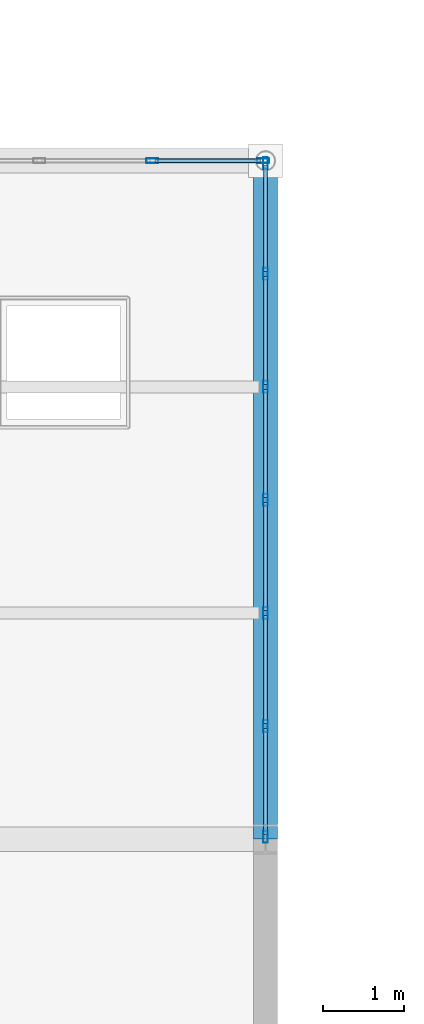
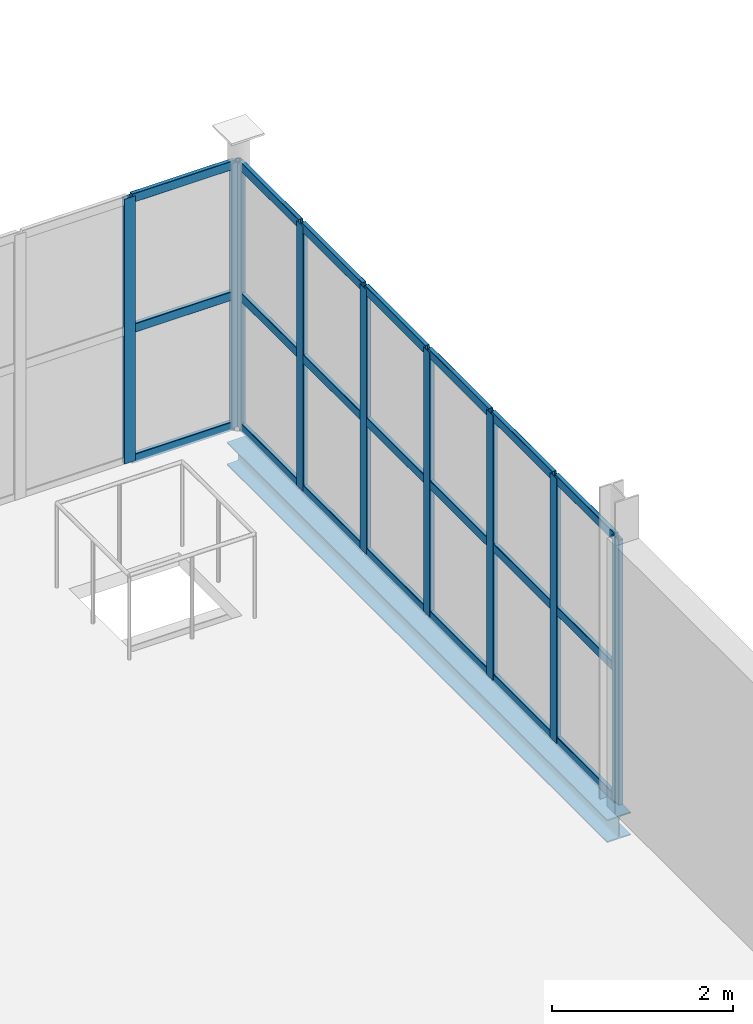
# One storey, part 89 of 163: 30 members, 1 beam, 2 elements without a shape of their own.
"""IFC4 building model written with IfcOpenShell, lengths in metres."""

from ifc_helpers import new_model, si_unit, direction, frame, origin, origin_2d, place, context, subcontext, project, spatial, hollow_rectangle, i_section, extrude, material, layer, layer_set, material_profile, profile_set, type_object, element, aggregate, save


model = new_model("IFC4")

# Units and contexts
model_context = context("Model", 3, precision=1e-05, world=origin(), true_north=direction((0.0, 1.0)))
body_context = subcontext(model_context, "Body", "Model", "MODEL_VIEW")
ifc_project = project(units=[si_unit("LENGTHUNIT", "METRE"), si_unit("AREAUNIT", "SQUARE_METRE"), si_unit("VOLUMEUNIT", "CUBIC_METRE"), si_unit("PLANEANGLEUNIT", "RADIAN"), si_unit("MASSUNIT", "GRAM", prefix="KILO")], contexts=[model_context])

# Site, building, storey
site_placement = place(None, origin())
site = spatial("IfcSite", under=ifc_project, at=site_placement, CompositionType="ELEMENT")
building_placement = place(site_placement, origin())
building = spatial("IfcBuilding", under=site, at=building_placement, Name="Qalvenar Corner Mobility Hub", CompositionType="ELEMENT")
storey_placement = place(building_placement, frame((0.0, 0.0, 4.800048828125)))
storey = spatial("IfcBuildingStorey", under=building, at=storey_placement, Name="L01", CompositionType="ELEMENT", Elevation=4.800048828125)

# Beam
ifc_material_1 = material(Name="Steel S355", Category="steel")
ifc_material_profile_1 = material_profile(ifc_material_1, i_section(OverallWidth=0.300048828125, OverallDepth=0.31005859375, WebThickness=0.009033203125, FlangeThickness=0.015380859375, FilletRadius=0.027099609375, at=origin_2d()), Name="HEA320")
ifc_profile_set_1 = profile_set([ifc_material_profile_1], Name="Steel S355")
beam_type = type_object("IfcBeamType", Name="BM-SPN320", PredefinedType="SPANDREL", material=ifc_profile_set_1)
beam_placement = place(storey_placement, frame((33.60009765625, 84.0, -0.3349609375), z_axis=(0.0, 1.0, 0.0), x_axis=(-1.0, 0.0, 0.0)))
element("IfcBeam", 1, at=beam_placement, inside=storey, type_object=beam_type, Name="Primary Steel Girder GY-1209", PredefinedType="SPANDREL", context=body_context, shape_type="SweptSolid", body=[
    extrude(i_section(OverallWidth=0.300048828125, OverallDepth=0.31005859375, WebThickness=0.009033203125, FlangeThickness=0.015380859375, FilletRadius=0.027099609375, at=origin_2d()), origin(), (0.0, 0.0, 1.0), 8.39990234375),
])

# Curtain wall, members
ifc_material_2 = material(Name="Anodised Aluminium and Low-E Glazing", Category="aluminium")
ifc_layer = layer(ifc_material_2, 0.14990234375)
ifc_layer_set = layer_set([ifc_layer], Name="Anodised Aluminium and Low-E Glazing")
curtain_wall_type = type_object("IfcCurtainWallType", Name="CW-CYC-84X39", PredefinedType="NOTDEFINED", material=ifc_layer_set)
curtain_wall_1_placement = place(storey_placement, origin())
curtain_wall_1 = element("IfcCurtainWall", 2, at=curtain_wall_1_placement, inside=storey, type_object=curtain_wall_type, Name="Glazed Curtain Wall CW-V5-L01-E5", PredefinedType="NOTDEFINED")
ifc_material_3 = material(Name="Anodised Aluminium 6063-T6", Category="aluminium")
ifc_material_profile_2 = material_profile(ifc_material_3, hollow_rectangle(XDim=0.06005859375, YDim=0.14990234375, WallThickness=0.00390625, InnerFilletRadius=0.00390625, OuterFilletRadius=0.008056640625, at=origin_2d()), Name="RHS150x60x4")
ifc_profile_set_2 = profile_set([ifc_material_profile_2], Name="Anodised Aluminium 6063-T6")
member_type_1 = type_object("IfcMemberType", Name="CW-MUL150", PredefinedType="MULLION", material=ifc_profile_set_2)
member_1_placement = place(storey_placement, frame((33.60009765625, 84.030029296875, 0.0), z_axis=(0.0, 0.0, 1.0), x_axis=(-1.0, 0.0, 0.0)))
member_1 = element("IfcMember", 3, at=member_1_placement, type_object=member_type_1, Name="CW-08 mullion 1", PredefinedType="MULLION", context=body_context, shape_type="SweptSolid", body=[
    extrude(hollow_rectangle(XDim=0.06005859375, YDim=0.14990234375, WallThickness=0.00390625, InnerFilletRadius=0.00390625, OuterFilletRadius=0.008056640625, at=origin_2d()), origin(), (0.0, 0.0, 1.0), 3.570068359375),
])
member_2_placement = place(storey_placement, frame((33.60009765625, 85.39990234375, 0.0), z_axis=(0.0, 0.0, 1.0), x_axis=(-1.0, 0.0, 0.0)))
member_2 = element("IfcMember", 4, at=member_2_placement, type_object=member_type_1, Name="CW-08 mullion 2", PredefinedType="MULLION", context=body_context, shape_type="SweptSolid", body=[
    extrude(hollow_rectangle(XDim=0.06005859375, YDim=0.14990234375, WallThickness=0.00390625, InnerFilletRadius=0.00390625, OuterFilletRadius=0.008056640625, at=origin_2d()), origin(), (0.0, 0.0, 1.0), 3.570068359375),
])
member_3_placement = place(storey_placement, frame((33.60009765625, 86.800048828125, 0.0), z_axis=(0.0, 0.0, 1.0), x_axis=(-1.0, 0.0, 0.0)))
member_3 = element("IfcMember", 5, at=member_3_placement, type_object=member_type_1, Name="CW-08 mullion 3", PredefinedType="MULLION", context=body_context, shape_type="SweptSolid", body=[
    extrude(hollow_rectangle(XDim=0.06005859375, YDim=0.14990234375, WallThickness=0.00390625, InnerFilletRadius=0.00390625, OuterFilletRadius=0.008056640625, at=origin_2d()), origin(), (0.0, 0.0, 1.0), 3.570068359375),
])
member_4_placement = place(storey_placement, frame((33.60009765625, 88.199951171875, 0.0), z_axis=(0.0, 0.0, 1.0), x_axis=(-1.0, 0.0, 0.0)))
member_4 = element("IfcMember", 6, at=member_4_placement, type_object=member_type_1, Name="CW-08 mullion 4", PredefinedType="MULLION", context=body_context, shape_type="SweptSolid", body=[
    extrude(hollow_rectangle(XDim=0.06005859375, YDim=0.14990234375, WallThickness=0.00390625, InnerFilletRadius=0.00390625, OuterFilletRadius=0.008056640625, at=origin_2d()), origin(), (0.0, 0.0, 1.0), 3.570068359375),
])
member_5_placement = place(storey_placement, frame((33.60009765625, 89.60009765625, 0.0), z_axis=(0.0, 0.0, 1.0), x_axis=(-1.0, 0.0, 0.0)))
member_5 = element("IfcMember", 7, at=member_5_placement, type_object=member_type_1, Name="CW-08 mullion 5", PredefinedType="MULLION", context=body_context, shape_type="SweptSolid", body=[
    extrude(hollow_rectangle(XDim=0.06005859375, YDim=0.14990234375, WallThickness=0.00390625, InnerFilletRadius=0.00390625, OuterFilletRadius=0.008056640625, at=origin_2d()), origin(), (0.0, 0.0, 1.0), 3.570068359375),
])
member_6_placement = place(storey_placement, frame((33.60009765625, 91.0, 0.0), z_axis=(0.0, 0.0, 1.0), x_axis=(-1.0, 0.0, 0.0)))
member_6 = element("IfcMember", 8, at=member_6_placement, type_object=member_type_1, Name="CW-08 mullion 6", PredefinedType="MULLION", context=body_context, shape_type="SweptSolid", body=[
    extrude(hollow_rectangle(XDim=0.06005859375, YDim=0.14990234375, WallThickness=0.00390625, InnerFilletRadius=0.00390625, OuterFilletRadius=0.008056640625, at=origin_2d()), origin(), (0.0, 0.0, 1.0), 3.570068359375),
])
member_7_placement = place(storey_placement, frame((33.60009765625, 92.3701171875, 0.0), z_axis=(0.0, 0.0, 1.0), x_axis=(-1.0, 0.0, 0.0)))
member_7 = element("IfcMember", 9, at=member_7_placement, type_object=member_type_1, Name="CW-08 mullion 7", PredefinedType="MULLION", context=body_context, shape_type="SweptSolid", body=[
    extrude(hollow_rectangle(XDim=0.06005859375, YDim=0.14990234375, WallThickness=0.00390625, InnerFilletRadius=0.00390625, OuterFilletRadius=0.008056640625, at=origin_2d()), origin(), (0.0, 0.0, 1.0), 3.570068359375),
])

curtain_wall_2_placement = place(storey_placement, origin())
curtain_wall_2 = element("IfcCurtainWall", 10, at=curtain_wall_2_placement, inside=storey, type_object=curtain_wall_type, Name="Glazed Curtain Wall CW-V5-L01-N3", PredefinedType="NOTDEFINED")
member_8_placement = place(storey_placement, frame((33.570068359375, 92.39990234375, 0.0), z_axis=(0.0, 0.0, 1.0), x_axis=(0.0, -1.0, 0.0)))
member_8 = element("IfcMember", 11, at=member_8_placement, type_object=member_type_1, Name="CW-08 mullion 1", PredefinedType="MULLION", context=body_context, shape_type="SweptSolid", body=[
    extrude(hollow_rectangle(XDim=0.06005859375, YDim=0.14990234375, WallThickness=0.00390625, InnerFilletRadius=0.00390625, OuterFilletRadius=0.008056640625, at=origin_2d()), origin(), (0.0, 0.0, 1.0), 3.570068359375),
])
member_9_placement = place(storey_placement, frame((32.199951171875, 92.39990234375, 0.0), z_axis=(0.0, 0.0, 1.0), x_axis=(0.0, -1.0, 0.0)))
member_9 = element("IfcMember", 12, at=member_9_placement, type_object=member_type_1, Name="CW-08 mullion 2", PredefinedType="MULLION", context=body_context, shape_type="SweptSolid", body=[
    extrude(hollow_rectangle(XDim=0.06005859375, YDim=0.14990234375, WallThickness=0.00390625, InnerFilletRadius=0.00390625, OuterFilletRadius=0.008056640625, at=origin_2d()), origin(), (0.0, 0.0, 1.0), 3.570068359375),
])

# Member
ifc_material_profile_3 = material_profile(ifc_material_3, hollow_rectangle(XDim=0.054931640625, YDim=0.1201171875, WallThickness=0.00341796875, InnerFilletRadius=0.00341796875, OuterFilletRadius=0.007080078125, at=origin_2d()), Name="RHS120x55x3.5")
ifc_profile_set_3 = profile_set([ifc_material_profile_3], Name="Anodised Aluminium 6063-T6")
member_type_2 = type_object("IfcMemberType", Name="CW-TRN120", PredefinedType="USERDEFINED", material=ifc_profile_set_3)
member_10_placement = place(storey_placement, frame((33.60009765625, 84.06005859375, 0.02734375), z_axis=(0.0, 1.0, 0.0), x_axis=(-1.0, 0.0, 0.0)))
member_10 = element("IfcMember", 13, at=member_10_placement, type_object=member_type_2, Name="CW-08 transom 1.1", ObjectType="TRANSOM", PredefinedType="USERDEFINED", context=body_context, shape_type="SweptSolid", body=[
    extrude(hollow_rectangle(XDim=0.054931640625, YDim=0.1201171875, WallThickness=0.00341796875, InnerFilletRadius=0.00341796875, OuterFilletRadius=0.007080078125, at=origin_2d()), origin(), (0.0, 0.0, 1.0), 1.31005859375),
])

member_11_placement = place(storey_placement, frame((33.60009765625, 84.06005859375, 1.784912109375), z_axis=(0.0, 1.0, 0.0), x_axis=(-1.0, 0.0, 0.0)))
member_11 = element("IfcMember", 14, at=member_11_placement, type_object=member_type_2, Name="CW-08 transom 1.2", ObjectType="TRANSOM", PredefinedType="USERDEFINED", context=body_context, shape_type="SweptSolid", body=[
    extrude(hollow_rectangle(XDim=0.054931640625, YDim=0.1201171875, WallThickness=0.00341796875, InnerFilletRadius=0.00341796875, OuterFilletRadius=0.007080078125, at=origin_2d()), origin(), (0.0, 0.0, 1.0), 1.31005859375),
])

member_12_placement = place(storey_placement, frame((33.60009765625, 84.06005859375, 3.54248046875), z_axis=(0.0, 1.0, 0.0), x_axis=(-1.0, 0.0, 0.0)))
member_12 = element("IfcMember", 15, at=member_12_placement, type_object=member_type_2, Name="CW-08 transom 1.3", ObjectType="TRANSOM", PredefinedType="USERDEFINED", context=body_context, shape_type="SweptSolid", body=[
    extrude(hollow_rectangle(XDim=0.054931640625, YDim=0.1201171875, WallThickness=0.00341796875, InnerFilletRadius=0.00341796875, OuterFilletRadius=0.007080078125, at=origin_2d()), origin(), (0.0, 0.0, 1.0), 1.31005859375),
])

member_13_placement = place(storey_placement, frame((33.60009765625, 85.429931640625, 0.02734375), z_axis=(0.0, 1.0, 0.0), x_axis=(-1.0, 0.0, 0.0)))
member_13 = element("IfcMember", 16, at=member_13_placement, type_object=member_type_2, Name="CW-08 transom 2.1", ObjectType="TRANSOM", PredefinedType="USERDEFINED", context=body_context, shape_type="SweptSolid", body=[
    extrude(hollow_rectangle(XDim=0.054931640625, YDim=0.1201171875, WallThickness=0.00341796875, InnerFilletRadius=0.00341796875, OuterFilletRadius=0.007080078125, at=origin_2d()), origin(), (0.0, 0.0, 1.0), 1.340087890625),
])

member_14_placement = place(storey_placement, frame((33.60009765625, 85.429931640625, 1.784912109375), z_axis=(0.0, 1.0, 0.0), x_axis=(-1.0, 0.0, 0.0)))
member_14 = element("IfcMember", 17, at=member_14_placement, type_object=member_type_2, Name="CW-08 transom 2.2", ObjectType="TRANSOM", PredefinedType="USERDEFINED", context=body_context, shape_type="SweptSolid", body=[
    extrude(hollow_rectangle(XDim=0.054931640625, YDim=0.1201171875, WallThickness=0.00341796875, InnerFilletRadius=0.00341796875, OuterFilletRadius=0.007080078125, at=origin_2d()), origin(), (0.0, 0.0, 1.0), 1.340087890625),
])

member_15_placement = place(storey_placement, frame((33.60009765625, 85.429931640625, 3.54248046875), z_axis=(0.0, 1.0, 0.0), x_axis=(-1.0, 0.0, 0.0)))
member_15 = element("IfcMember", 18, at=member_15_placement, type_object=member_type_2, Name="CW-08 transom 2.3", ObjectType="TRANSOM", PredefinedType="USERDEFINED", context=body_context, shape_type="SweptSolid", body=[
    extrude(hollow_rectangle(XDim=0.054931640625, YDim=0.1201171875, WallThickness=0.00341796875, InnerFilletRadius=0.00341796875, OuterFilletRadius=0.007080078125, at=origin_2d()), origin(), (0.0, 0.0, 1.0), 1.340087890625),
])

member_16_placement = place(storey_placement, frame((33.60009765625, 86.830078125, 0.02734375), z_axis=(0.0, 1.0, 0.0), x_axis=(-1.0, 0.0, 0.0)))
member_16 = element("IfcMember", 19, at=member_16_placement, type_object=member_type_2, Name="CW-08 transom 3.1", ObjectType="TRANSOM", PredefinedType="USERDEFINED", context=body_context, shape_type="SweptSolid", body=[
    extrude(hollow_rectangle(XDim=0.054931640625, YDim=0.1201171875, WallThickness=0.00341796875, InnerFilletRadius=0.00341796875, OuterFilletRadius=0.007080078125, at=origin_2d()), origin(), (0.0, 0.0, 1.0), 1.33984375),
])

member_17_placement = place(storey_placement, frame((33.60009765625, 86.830078125, 1.784912109375), z_axis=(0.0, 1.0, 0.0), x_axis=(-1.0, 0.0, 0.0)))
member_17 = element("IfcMember", 20, at=member_17_placement, type_object=member_type_2, Name="CW-08 transom 3.2", ObjectType="TRANSOM", PredefinedType="USERDEFINED", context=body_context, shape_type="SweptSolid", body=[
    extrude(hollow_rectangle(XDim=0.054931640625, YDim=0.1201171875, WallThickness=0.00341796875, InnerFilletRadius=0.00341796875, OuterFilletRadius=0.007080078125, at=origin_2d()), origin(), (0.0, 0.0, 1.0), 1.33984375),
])

member_18_placement = place(storey_placement, frame((33.60009765625, 86.830078125, 3.54248046875), z_axis=(0.0, 1.0, 0.0), x_axis=(-1.0, 0.0, 0.0)))
member_18 = element("IfcMember", 21, at=member_18_placement, type_object=member_type_2, Name="CW-08 transom 3.3", ObjectType="TRANSOM", PredefinedType="USERDEFINED", context=body_context, shape_type="SweptSolid", body=[
    extrude(hollow_rectangle(XDim=0.054931640625, YDim=0.1201171875, WallThickness=0.00341796875, InnerFilletRadius=0.00341796875, OuterFilletRadius=0.007080078125, at=origin_2d()), origin(), (0.0, 0.0, 1.0), 1.33984375),
])

member_19_placement = place(storey_placement, frame((33.60009765625, 88.22998046875, 0.02734375), z_axis=(0.0, 1.0, 0.0), x_axis=(-1.0, 0.0, 0.0)))
member_19 = element("IfcMember", 22, at=member_19_placement, type_object=member_type_2, Name="CW-08 transom 4.1", ObjectType="TRANSOM", PredefinedType="USERDEFINED", context=body_context, shape_type="SweptSolid", body=[
    extrude(hollow_rectangle(XDim=0.054931640625, YDim=0.1201171875, WallThickness=0.00341796875, InnerFilletRadius=0.00341796875, OuterFilletRadius=0.007080078125, at=origin_2d()), origin(), (0.0, 0.0, 1.0), 1.340087890625),
])

member_20_placement = place(storey_placement, frame((33.60009765625, 88.22998046875, 1.784912109375), z_axis=(0.0, 1.0, 0.0), x_axis=(-1.0, 0.0, 0.0)))
member_20 = element("IfcMember", 23, at=member_20_placement, type_object=member_type_2, Name="CW-08 transom 4.2", ObjectType="TRANSOM", PredefinedType="USERDEFINED", context=body_context, shape_type="SweptSolid", body=[
    extrude(hollow_rectangle(XDim=0.054931640625, YDim=0.1201171875, WallThickness=0.00341796875, InnerFilletRadius=0.00341796875, OuterFilletRadius=0.007080078125, at=origin_2d()), origin(), (0.0, 0.0, 1.0), 1.340087890625),
])

member_21_placement = place(storey_placement, frame((33.60009765625, 88.22998046875, 3.54248046875), z_axis=(0.0, 1.0, 0.0), x_axis=(-1.0, 0.0, 0.0)))
member_21 = element("IfcMember", 24, at=member_21_placement, type_object=member_type_2, Name="CW-08 transom 4.3", ObjectType="TRANSOM", PredefinedType="USERDEFINED", context=body_context, shape_type="SweptSolid", body=[
    extrude(hollow_rectangle(XDim=0.054931640625, YDim=0.1201171875, WallThickness=0.00341796875, InnerFilletRadius=0.00341796875, OuterFilletRadius=0.007080078125, at=origin_2d()), origin(), (0.0, 0.0, 1.0), 1.340087890625),
])

member_22_placement = place(storey_placement, frame((33.60009765625, 89.6298828125, 0.02734375), z_axis=(0.0, 1.0, 0.0), x_axis=(-1.0, 0.0, 0.0)))
member_22 = element("IfcMember", 25, at=member_22_placement, type_object=member_type_2, Name="CW-08 transom 5.1", ObjectType="TRANSOM", PredefinedType="USERDEFINED", context=body_context, shape_type="SweptSolid", body=[
    extrude(hollow_rectangle(XDim=0.054931640625, YDim=0.1201171875, WallThickness=0.00341796875, InnerFilletRadius=0.00341796875, OuterFilletRadius=0.007080078125, at=origin_2d()), origin(), (0.0, 0.0, 1.0), 1.340087890625),
])

member_23_placement = place(storey_placement, frame((33.60009765625, 89.6298828125, 1.784912109375), z_axis=(0.0, 1.0, 0.0), x_axis=(-1.0, 0.0, 0.0)))
member_23 = element("IfcMember", 26, at=member_23_placement, type_object=member_type_2, Name="CW-08 transom 5.2", ObjectType="TRANSOM", PredefinedType="USERDEFINED", context=body_context, shape_type="SweptSolid", body=[
    extrude(hollow_rectangle(XDim=0.054931640625, YDim=0.1201171875, WallThickness=0.00341796875, InnerFilletRadius=0.00341796875, OuterFilletRadius=0.007080078125, at=origin_2d()), origin(), (0.0, 0.0, 1.0), 1.340087890625),
])

member_24_placement = place(storey_placement, frame((33.60009765625, 89.6298828125, 3.54248046875), z_axis=(0.0, 1.0, 0.0), x_axis=(-1.0, 0.0, 0.0)))
member_24 = element("IfcMember", 27, at=member_24_placement, type_object=member_type_2, Name="CW-08 transom 5.3", ObjectType="TRANSOM", PredefinedType="USERDEFINED", context=body_context, shape_type="SweptSolid", body=[
    extrude(hollow_rectangle(XDim=0.054931640625, YDim=0.1201171875, WallThickness=0.00341796875, InnerFilletRadius=0.00341796875, OuterFilletRadius=0.007080078125, at=origin_2d()), origin(), (0.0, 0.0, 1.0), 1.340087890625),
])

member_25_placement = place(storey_placement, frame((33.60009765625, 91.030029296875, 0.02734375), z_axis=(0.0, 1.0, 0.0), x_axis=(-1.0, 0.0, 0.0)))
member_25 = element("IfcMember", 28, at=member_25_placement, type_object=member_type_2, Name="CW-08 transom 6.1", ObjectType="TRANSOM", PredefinedType="USERDEFINED", context=body_context, shape_type="SweptSolid", body=[
    extrude(hollow_rectangle(XDim=0.054931640625, YDim=0.1201171875, WallThickness=0.00341796875, InnerFilletRadius=0.00341796875, OuterFilletRadius=0.007080078125, at=origin_2d()), origin(), (0.0, 0.0, 1.0), 1.31005859375),
])

member_26_placement = place(storey_placement, frame((33.60009765625, 91.030029296875, 1.784912109375), z_axis=(0.0, 1.0, 0.0), x_axis=(-1.0, 0.0, 0.0)))
member_26 = element("IfcMember", 29, at=member_26_placement, type_object=member_type_2, Name="CW-08 transom 6.2", ObjectType="TRANSOM", PredefinedType="USERDEFINED", context=body_context, shape_type="SweptSolid", body=[
    extrude(hollow_rectangle(XDim=0.054931640625, YDim=0.1201171875, WallThickness=0.00341796875, InnerFilletRadius=0.00341796875, OuterFilletRadius=0.007080078125, at=origin_2d()), origin(), (0.0, 0.0, 1.0), 1.31005859375),
])

member_27_placement = place(storey_placement, frame((33.60009765625, 91.030029296875, 3.54248046875), z_axis=(0.0, 1.0, 0.0), x_axis=(-1.0, 0.0, 0.0)))
member_27 = element("IfcMember", 30, at=member_27_placement, type_object=member_type_2, Name="CW-08 transom 6.3", ObjectType="TRANSOM", PredefinedType="USERDEFINED", context=body_context, shape_type="SweptSolid", body=[
    extrude(hollow_rectangle(XDim=0.054931640625, YDim=0.1201171875, WallThickness=0.00341796875, InnerFilletRadius=0.00341796875, OuterFilletRadius=0.007080078125, at=origin_2d()), origin(), (0.0, 0.0, 1.0), 1.31005859375),
])

aggregate(curtain_wall_1, [member_1, member_2, member_3, member_4, member_5, member_6, member_7, member_10, member_11, member_12, member_13, member_14, member_15, member_16, member_17, member_18, member_19, member_20, member_21, member_22, member_23, member_24, member_25, member_26, member_27])

member_28_placement = place(storey_placement, frame((33.5400390625, 92.39990234375, 0.02734375), z_axis=(-1.0, 0.0, 0.0), x_axis=(0.0, -1.0, 0.0)))
member_28 = element("IfcMember", 31, at=member_28_placement, type_object=member_type_2, Name="CW-08 transom 1.1", ObjectType="TRANSOM", PredefinedType="USERDEFINED", context=body_context, shape_type="SweptSolid", body=[
    extrude(hollow_rectangle(XDim=0.054931640625, YDim=0.1201171875, WallThickness=0.00341796875, InnerFilletRadius=0.00341796875, OuterFilletRadius=0.007080078125, at=origin_2d()), origin(), (0.0, 0.0, 1.0), 1.31005859375),
])

member_29_placement = place(storey_placement, frame((33.5400390625, 92.39990234375, 1.784912109375), z_axis=(-1.0, 0.0, 0.0), x_axis=(0.0, -1.0, 0.0)))
member_29 = element("IfcMember", 32, at=member_29_placement, type_object=member_type_2, Name="CW-08 transom 1.2", ObjectType="TRANSOM", PredefinedType="USERDEFINED", context=body_context, shape_type="SweptSolid", body=[
    extrude(hollow_rectangle(XDim=0.054931640625, YDim=0.1201171875, WallThickness=0.00341796875, InnerFilletRadius=0.00341796875, OuterFilletRadius=0.007080078125, at=origin_2d()), origin(), (0.0, 0.0, 1.0), 1.31005859375),
])

member_30_placement = place(storey_placement, frame((33.5400390625, 92.39990234375, 3.54248046875), z_axis=(-1.0, 0.0, 0.0), x_axis=(0.0, -1.0, 0.0)))
member_30 = element("IfcMember", 33, at=member_30_placement, type_object=member_type_2, Name="CW-08 transom 1.3", ObjectType="TRANSOM", PredefinedType="USERDEFINED", context=body_context, shape_type="SweptSolid", body=[
    extrude(hollow_rectangle(XDim=0.054931640625, YDim=0.1201171875, WallThickness=0.00341796875, InnerFilletRadius=0.00341796875, OuterFilletRadius=0.007080078125, at=origin_2d()), origin(), (0.0, 0.0, 1.0), 1.31005859375),
])

aggregate(curtain_wall_2, [member_8, member_9, member_28, member_29, member_30])

save(model, "model.ifc")
